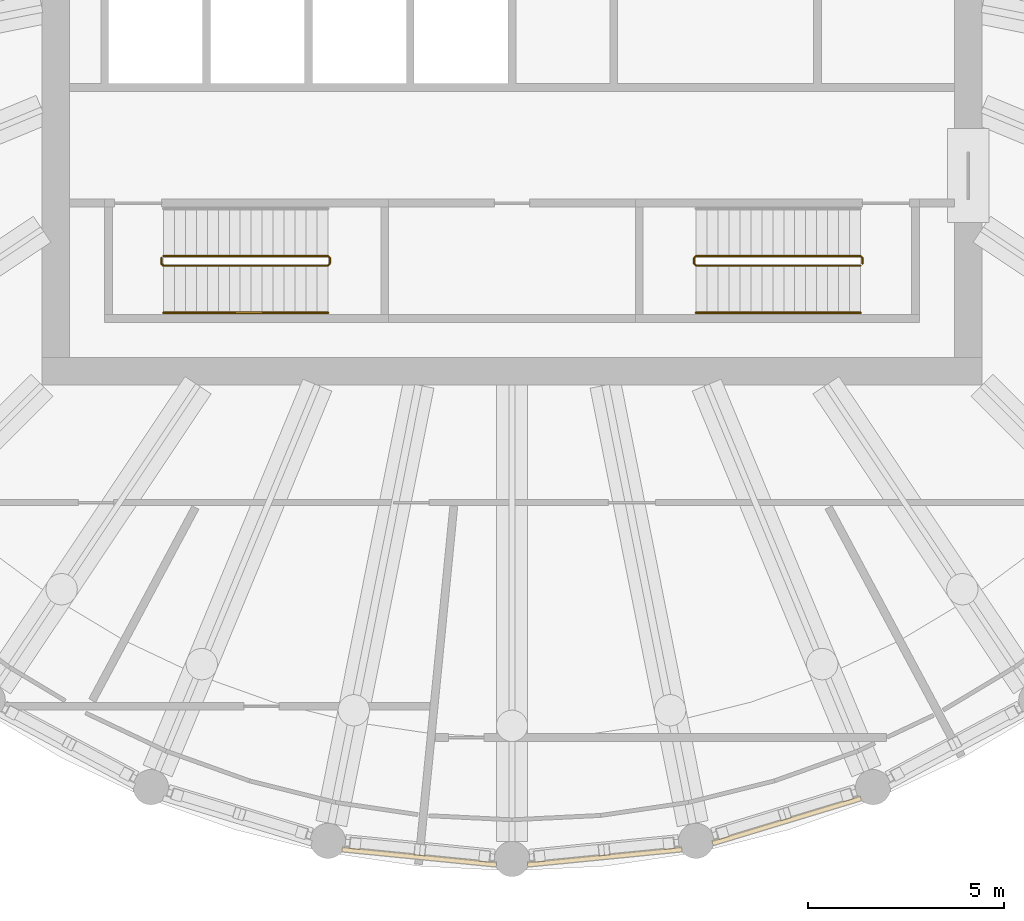
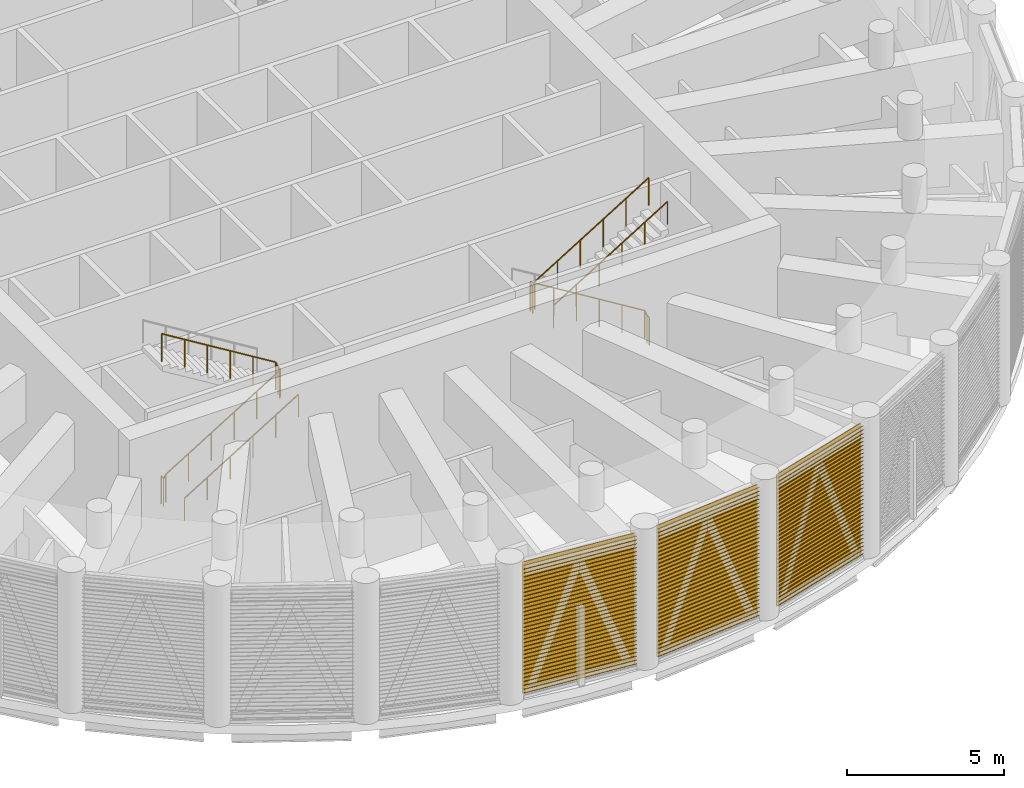
# One storey, part 13 of 19: 4 railings, 3 shading devices, 3 elements without a shape of their own.
"""IFC4 building model written with IfcOpenShell, lengths in metres."""

from ifc_helpers import new_model, si_unit, direction, frame, origin, origin_2d, place, context, subcontext, project, spatial, polyline, circle, outline, extrude, material, material_profile, profile_set, type_object, element, aggregate, save


model = new_model("IFC4")

# Units and contexts
model_context = context("Model", 3, precision=1e-05, world=origin(), true_north=direction((0.0, 1.0)))
body_context = subcontext(model_context, "Body", "Model", "MODEL_VIEW")
ifc_project = project(units=[si_unit("LENGTHUNIT", "METRE"), si_unit("AREAUNIT", "SQUARE_METRE"), si_unit("VOLUMEUNIT", "CUBIC_METRE"), si_unit("PLANEANGLEUNIT", "RADIAN"), si_unit("MASSUNIT", "GRAM", prefix="KILO")], contexts=[model_context])

# Site, building, storey
site_placement = place(None, origin())
site = spatial("IfcSite", under=ifc_project, at=site_placement, CompositionType="ELEMENT")
building_placement = place(site_placement, origin())
building = spatial("IfcBuilding", under=site, at=building_placement, Name="Corvane Civic Tower", CompositionType="ELEMENT")
storey_placement = place(building_placement, frame((0.0, 0.0, 319.0)))
storey = spatial("IfcBuildingStorey", under=building, at=storey_placement, Name="L76", CompositionType="ELEMENT", Elevation=319.0)

# Railings
ifc_material_1 = material(Name="Steel ASTM A572 Gr 50", Category="steel")
railing_type_1 = type_object("IfcRailingType", Name="ST-GUARD-1100", PredefinedType="GUARDRAIL", material=ifc_material_1)
railing_1_placement = place(storey_placement, frame((8.949951171875, -8.89990234375, 0.0)))
element("IfcRailing", 1, at=railing_1_placement, inside=storey, type_object=railing_type_1, Name="L76 ST2 stair guard 1", PredefinedType="GUARDRAIL", context=body_context, shape_type="SweptSolid", body=[
    extrude(circle(Radius=0.02392578125, at=origin_2d()), frame((0.0, 0.0, 1.076171875), z_axis=(0.0, 1.0, 0.0), x_axis=(-1.0, 0.0, 0.0)), (0.0, 0.0, 1.0), 0.14990234375),
    extrude(circle(Radius=0.02392578125, at=origin_2d()), frame((0.0, 0.14990234375, 1.076171875), z_axis=(-0.269255725606, 0.269255725606, 0.92466356501), x_axis=(-0.707106781187, -0.707106781187, 0.0)), (0.0, 0.0, 1.0), 0.185791015625),
    extrude(circle(Radius=0.02392578125, at=origin_2d()), frame((-0.050048828125, 0.199951171875, 1.248046875), z_axis=(-0.852242915053, 0.0, 0.523146264196), x_axis=(0.0, -1.0, 0.0)), (0.0, 0.0, 1.0), 4.92822265625),
    extrude(circle(Radius=0.02392578125, at=origin_2d()), frame((-4.25, 0.199951171875, 3.826171875), z_axis=(-0.707106781187, -0.707106781187, 0.0), x_axis=(0.707106781187, -0.707106781187, 0.0)), (0.0, 0.0, 1.0), 0.07080078125),
    extrude(circle(Radius=0.02392578125, at=origin_2d()), frame((-4.300048828125, 0.14990234375, 3.826171875), z_axis=(0.0, -1.0, 0.0), x_axis=(1.0, 0.0, 0.0)), (0.0, 0.0, 1.0), 0.14990234375),
    extrude(circle(Radius=0.02392578125, at=origin_2d()), frame((-4.300048828125, 0.0, 3.826171875), z_axis=(0.269255725606, -0.269255725606, 0.92466356501), x_axis=(0.707106781187, 0.707106781187, 0.0)), (0.0, 0.0, 1.0), 0.185791015625),
    extrude(circle(Radius=0.02392578125, at=origin_2d()), frame((-4.25, -0.050048828125, 3.998046875), z_axis=(0.852242915053, 0.0, 0.523146264196), x_axis=(0.0, 1.0, 0.0)), (0.0, 0.0, 1.0), 4.92822265625),
    extrude(circle(Radius=0.02099609375, at=origin_2d()), origin(), (0.0, 0.0, 1.0), 1.052001953125),
    extrude(circle(Radius=0.02099609375, at=origin_2d()), frame((0.0, 0.14990234375, 0.0)), (0.0, 0.0, 1.0), 1.052001953125),
    extrude(circle(Radius=0.02099609375, at=origin_2d()), frame((-0.050048828125, 0.199951171875, 0.171875)), (0.0, 0.0, 1.0), 1.052001953125),
    extrude(circle(Radius=0.02099609375, at=origin_2d()), frame((-0.89013671875, 0.199951171875, 0.6875)), (0.0, 0.0, 1.0), 1.052001953125),
    extrude(circle(Radius=0.02099609375, at=origin_2d()), frame((-1.72998046875, 0.199951171875, 1.203125)), (0.0, 0.0, 1.0), 1.052001953125),
    extrude(circle(Radius=0.02099609375, at=origin_2d()), frame((-2.570068359375, 0.199951171875, 1.71875)), (0.0, 0.0, 1.0), 1.052001953125),
    extrude(circle(Radius=0.02099609375, at=origin_2d()), frame((-3.409912109375, 0.199951171875, 2.234375)), (0.0, 0.0, 1.0), 1.052001953125),
    extrude(circle(Radius=0.02099609375, at=origin_2d()), frame((-4.25, 0.199951171875, 2.75)), (0.0, 0.0, 1.0), 1.052001953125),
    extrude(circle(Radius=0.02099609375, at=origin_2d()), frame((-4.300048828125, 0.14990234375, 2.75)), (0.0, 0.0, 1.0), 1.052001953125),
    extrude(circle(Radius=0.02099609375, at=origin_2d()), frame((-4.300048828125, 0.0, 2.75)), (0.0, 0.0, 1.0), 1.052001953125),
    extrude(circle(Radius=0.02099609375, at=origin_2d()), frame((-4.25, -0.050048828125, 2.921875)), (0.0, 0.0, 1.0), 1.052001953125),
    extrude(circle(Radius=0.02099609375, at=origin_2d()), frame((-3.409912109375, -0.050048828125, 3.4375)), (0.0, 0.0, 1.0), 1.052001953125),
    extrude(circle(Radius=0.02099609375, at=origin_2d()), frame((-2.570068359375, -0.050048828125, 3.953125)), (0.0, 0.0, 1.0), 1.052001953125),
    extrude(circle(Radius=0.02099609375, at=origin_2d()), frame((-1.72998046875, -0.050048828125, 4.46875)), (0.0, 0.0, 1.0), 1.052001953125),
    extrude(circle(Radius=0.02099609375, at=origin_2d()), frame((-0.89013671875, -0.050048828125, 4.984375)), (0.0, 0.0, 1.0), 1.052001953125),
    extrude(circle(Radius=0.02099609375, at=origin_2d()), frame((-0.050048828125, -0.050048828125, 5.5)), (0.0, 0.0, 1.0), 1.052001953125),
])
railing_2_placement = place(storey_placement, frame((-8.949951171875, -8.75, 0.0)))
element("IfcRailing", 2, at=railing_2_placement, inside=storey, type_object=railing_type_1, Name="L76 ST3 stair guard 1", PredefinedType="GUARDRAIL", context=body_context, shape_type="SweptSolid", body=[
    extrude(circle(Radius=0.02392578125, at=origin_2d()), frame((0.0, 0.0, 1.076171875), z_axis=(0.0, -1.0, 0.0), x_axis=(1.0, 0.0, 0.0)), (0.0, 0.0, 1.0), 0.14990234375),
    extrude(circle(Radius=0.02392578125, at=origin_2d()), frame((0.0, -0.14990234375, 1.076171875), z_axis=(0.269255725606, -0.269255725606, 0.92466356501), x_axis=(0.707106781187, 0.707106781187, 0.0)), (0.0, 0.0, 1.0), 0.185791015625),
    extrude(circle(Radius=0.02392578125, at=origin_2d()), frame((0.050048828125, -0.199951171875, 1.248046875), z_axis=(0.852242915053, 0.0, 0.523146264196), x_axis=(0.0, 1.0, 0.0)), (0.0, 0.0, 1.0), 4.92822265625),
    extrude(circle(Radius=0.02392578125, at=origin_2d()), frame((4.25, -0.199951171875, 3.826171875), z_axis=(0.707106781187, 0.707106781187, 0.0), x_axis=(-0.707106781187, 0.707106781187, 0.0)), (0.0, 0.0, 1.0), 0.07080078125),
    extrude(circle(Radius=0.02392578125, at=origin_2d()), frame((4.300048828125, -0.14990234375, 3.826171875), z_axis=(0.0, 1.0, 0.0), x_axis=(-1.0, 0.0, 0.0)), (0.0, 0.0, 1.0), 0.14990234375),
    extrude(circle(Radius=0.02392578125, at=origin_2d()), frame((4.300048828125, 0.0, 3.826171875), z_axis=(-0.269255725606, 0.269255725606, 0.92466356501), x_axis=(-0.707106781187, -0.707106781187, 0.0)), (0.0, 0.0, 1.0), 0.185791015625),
    extrude(circle(Radius=0.02392578125, at=origin_2d()), frame((4.25, 0.050048828125, 3.998046875), z_axis=(-0.852242915053, 0.0, 0.523146264196), x_axis=(0.0, -1.0, 0.0)), (0.0, 0.0, 1.0), 4.92822265625),
    extrude(circle(Radius=0.02099609375, at=origin_2d()), origin(), (0.0, 0.0, 1.0), 1.052001953125),
    extrude(circle(Radius=0.02099609375, at=origin_2d()), frame((0.0, -0.14990234375, 0.0)), (0.0, 0.0, 1.0), 1.052001953125),
    extrude(circle(Radius=0.02099609375, at=origin_2d()), frame((0.050048828125, -0.199951171875, 0.171875)), (0.0, 0.0, 1.0), 1.052001953125),
    extrude(circle(Radius=0.02099609375, at=origin_2d()), frame((0.89013671875, -0.199951171875, 0.6875)), (0.0, 0.0, 1.0), 1.052001953125),
    extrude(circle(Radius=0.02099609375, at=origin_2d()), frame((1.72998046875, -0.199951171875, 1.203125)), (0.0, 0.0, 1.0), 1.052001953125),
    extrude(circle(Radius=0.02099609375, at=origin_2d()), frame((2.570068359375, -0.199951171875, 1.71875)), (0.0, 0.0, 1.0), 1.052001953125),
    extrude(circle(Radius=0.02099609375, at=origin_2d()), frame((3.409912109375, -0.199951171875, 2.234375)), (0.0, 0.0, 1.0), 1.052001953125),
    extrude(circle(Radius=0.02099609375, at=origin_2d()), frame((4.25, -0.199951171875, 2.75)), (0.0, 0.0, 1.0), 1.052001953125),
    extrude(circle(Radius=0.02099609375, at=origin_2d()), frame((4.300048828125, -0.14990234375, 2.75)), (0.0, 0.0, 1.0), 1.052001953125),
    extrude(circle(Radius=0.02099609375, at=origin_2d()), frame((4.300048828125, 0.0, 2.75)), (0.0, 0.0, 1.0), 1.052001953125),
    extrude(circle(Radius=0.02099609375, at=origin_2d()), frame((4.25, 0.050048828125, 2.921875)), (0.0, 0.0, 1.0), 1.052001953125),
    extrude(circle(Radius=0.02099609375, at=origin_2d()), frame((3.409912109375, 0.050048828125, 3.4375)), (0.0, 0.0, 1.0), 1.052001953125),
    extrude(circle(Radius=0.02099609375, at=origin_2d()), frame((2.570068359375, 0.050048828125, 3.953125)), (0.0, 0.0, 1.0), 1.052001953125),
    extrude(circle(Radius=0.02099609375, at=origin_2d()), frame((1.72998046875, 0.050048828125, 4.46875)), (0.0, 0.0, 1.0), 1.052001953125),
    extrude(circle(Radius=0.02099609375, at=origin_2d()), frame((0.89013671875, 0.050048828125, 4.984375)), (0.0, 0.0, 1.0), 1.052001953125),
    extrude(circle(Radius=0.02099609375, at=origin_2d()), frame((0.050048828125, 0.050048828125, 5.5)), (0.0, 0.0, 1.0), 1.052001953125),
])
ifc_material_2 = material(Name="Steel ASTM A572 Gr 50", Category="steel")
railing_type_2 = type_object("IfcRailingType", Name="ST-HANDRAIL-900", PredefinedType="HANDRAIL", material=ifc_material_2)
for number, where, name in (
    (3, (4.699951171875, -10.14990234375, 2.921875), "L76 ST2 stair handrail 2"),
    (4, (-8.89990234375, -10.14990234375, 0.171875), "L76 ST3 stair handrail 1"),
):
    element("IfcRailing", number, at=place(storey_placement, frame(where)), inside=storey, type_object=railing_type_2, Name=name, PredefinedType="HANDRAIL", context=body_context, shape_type="SweptSolid", body=[
        extrude(circle(Radius=0.02392578125, at=origin_2d()), frame((0.0, 0.0, 0.8759765625), z_axis=(0.852242915053, 0.0, 0.523146264196), x_axis=(0.0, 1.0, 0.0)), (0.0, 0.0, 1.0), 4.92822265625),
        extrude(circle(Radius=0.02099609375, at=origin_2d()), origin(), (0.0, 0.0, 1.0), 0.851806640625),
        extrude(circle(Radius=0.02099609375, at=origin_2d()), frame((0.840087890625, 0.0, 0.515625)), (0.0, 0.0, 1.0), 0.851806640625),
        extrude(circle(Radius=0.02099609375, at=origin_2d()), frame((1.679931640625, 0.0, 1.03125)), (0.0, 0.0, 1.0), 0.851806640625),
        extrude(circle(Radius=0.02099609375, at=origin_2d()), frame((2.52001953125, 0.0, 1.546875)), (0.0, 0.0, 1.0), 0.851806640625),
        extrude(circle(Radius=0.02099609375, at=origin_2d()), frame((3.35986328125, 0.0, 2.0625)), (0.0, 0.0, 1.0), 0.851806640625),
        extrude(circle(Radius=0.02099609375, at=origin_2d()), frame((4.199951171875, 0.0, 2.578125)), (0.0, 0.0, 1.0), 0.851806640625),
    ])

# Curtain wall, shading device
ifc_material_3 = material(Name="Anodised aluminium bronze", Category="aluminium")
curtain_wall_type = type_object("IfcCurtainWallType", Name="TOWER CW-LV LOUVRE SCREEN WALL", PredefinedType="NOTDEFINED", material=ifc_material_3)
curtain_wall_1_placement = place(storey_placement, origin())
curtain_wall_1 = element("IfcCurtainWall", 5, at=curtain_wall_1_placement, inside=storey, type_object=curtain_wall_type, Name="Louvre screen wall CW-LV L76 bay 15", PredefinedType="NOTDEFINED")
ifc_material_4 = material(Name="Anodised aluminium bronze", Category="aluminium")
ifc_material_profile = material_profile(ifc_material_4, outline(polyline([(-0.06005859375, -2.56494140625), (-0.0400390625, -2.56494140625), (0.06005859375, -2.492919921875), (0.06005859375, -2.472900390625), (-0.0400390625, -2.544921875), (-0.0400390625, -2.4140625), (0.06005859375, -2.342041015625), (0.06005859375, -2.322021484375), (-0.0400390625, -2.39404296875), (-0.0400390625, -2.26318359375), (0.06005859375, -2.191162109375), (0.06005859375, -2.171142578125), (-0.0400390625, -2.2431640625), (-0.0400390625, -2.1123046875), (0.06005859375, -2.040283203125), (0.06005859375, -2.0205078125), (-0.0400390625, -2.09228515625), (-0.0400390625, -1.96142578125), (0.06005859375, -1.889404296875), (0.06005859375, -1.869384765625), (-0.0400390625, -1.94140625), (-0.0400390625, -1.810546875), (0.06005859375, -1.738525390625), (0.06005859375, -1.718505859375), (-0.0400390625, -1.79052734375), (-0.0400390625, -1.65966796875), (0.06005859375, -1.587646484375), (0.06005859375, -1.567626953125), (-0.0400390625, -1.6396484375), (-0.0400390625, -1.5087890625), (0.06005859375, -1.436767578125), (0.06005859375, -1.416748046875), (-0.0400390625, -1.48876953125), (-0.0400390625, -1.35791015625), (0.06005859375, -1.285888671875), (0.06005859375, -1.265869140625), (-0.0400390625, -1.337890625), (-0.0400390625, -1.20703125), (0.06005859375, -1.135009765625), (0.06005859375, -1.114990234375), (-0.0400390625, -1.18701171875), (-0.0400390625, -1.05615234375), (0.06005859375, -0.984130859375), (0.06005859375, -0.964111328125), (-0.0400390625, -1.0361328125), (-0.0400390625, -0.9052734375), (0.06005859375, -0.833251953125), (0.06005859375, -0.813232421875), (-0.0400390625, -0.88525390625), (-0.0400390625, -0.75439453125), (0.06005859375, -0.682373046875), (0.06005859375, -0.662353515625), (-0.0400390625, -0.734375), (-0.0400390625, -0.603515625), (0.06005859375, -0.531494140625), (0.06005859375, -0.511474609375), (-0.0400390625, -0.58349609375), (-0.0400390625, -0.45263671875), (0.06005859375, -0.380615234375), (0.06005859375, -0.360595703125), (-0.0400390625, -0.4326171875), (-0.0400390625, -0.3017578125), (0.06005859375, -0.229736328125), (0.06005859375, -0.209716796875), (-0.0400390625, -0.28173828125), (-0.0400390625, -0.15087890625), (0.06005859375, -0.078857421875), (0.06005859375, -0.058837890625), (-0.0400390625, -0.130859375), (-0.0400390625, 0.0), (0.06005859375, 0.072021484375), (0.06005859375, 0.092041015625), (-0.0400390625, 0.02001953125), (-0.0400390625, 0.15087890625), (0.06005859375, 0.222900390625), (0.06005859375, 0.242919921875), (-0.0400390625, 0.1708984375), (-0.0400390625, 0.3017578125), (0.06005859375, 0.373779296875), (0.06005859375, 0.393798828125), (-0.0400390625, 0.32177734375), (-0.0400390625, 0.45263671875), (0.06005859375, 0.524658203125), (0.06005859375, 0.544677734375), (-0.0400390625, 0.47265625), (-0.0400390625, 0.603515625), (0.06005859375, 0.675537109375), (0.06005859375, 0.695556640625), (-0.0400390625, 0.62353515625), (-0.0400390625, 0.75439453125), (0.06005859375, 0.826416015625), (0.06005859375, 0.846435546875), (-0.0400390625, 0.7744140625), (-0.0400390625, 0.9052734375), (0.06005859375, 0.977294921875), (0.06005859375, 0.997314453125), (-0.0400390625, 0.92529296875), (-0.0400390625, 1.05615234375), (0.06005859375, 1.128173828125), (0.06005859375, 1.148193359375), (-0.0400390625, 1.076171875), (-0.0400390625, 1.20703125), (0.06005859375, 1.279052734375), (0.06005859375, 1.299072265625), (-0.0400390625, 1.22705078125), (-0.0400390625, 1.35791015625), (0.06005859375, 1.429931640625), (0.06005859375, 1.449951171875), (-0.0400390625, 1.3779296875), (-0.0400390625, 1.5087890625), (0.06005859375, 1.580810546875), (0.06005859375, 1.600830078125), (-0.0400390625, 1.52880859375), (-0.0400390625, 1.65966796875), (0.06005859375, 1.731689453125), (0.06005859375, 1.751708984375), (-0.0400390625, 1.6796875), (-0.0400390625, 1.810546875), (0.06005859375, 1.882568359375), (0.06005859375, 1.902587890625), (-0.0400390625, 1.83056640625), (-0.0400390625, 1.96142578125), (0.06005859375, 2.033447265625), (0.06005859375, 2.053466796875), (-0.0400390625, 1.9814453125), (-0.0400390625, 2.1123046875), (0.06005859375, 2.184326171875), (0.06005859375, 2.204345703125), (-0.0400390625, 2.13232421875), (-0.0400390625, 2.26318359375), (0.06005859375, 2.335205078125), (0.06005859375, 2.355224609375), (-0.0400390625, 2.283203125), (-0.0400390625, 2.4140625), (0.06005859375, 2.486083984375), (0.06005859375, 2.506103515625), (-0.0400390625, 2.43408203125), (-0.0400390625, 2.56494140625), (-0.06005859375, 2.56494140625), (-0.06005859375, -2.56494140625)])), Name="TOWER LOUVRE BANK 5130 BRONZE")
ifc_profile_set = profile_set([ifc_material_profile], Name="Anodised aluminium bronze")
shading_device_type = type_object("IfcShadingDeviceType", Name="TOWER LOUVRE BANK 5130 BRONZE", PredefinedType="USERDEFINED", material=ifc_profile_set)
shading_device_1_placement = place(storey_placement, frame((8.908447265625, -22.548095703125, 2.68505859375), z_axis=(-0.956946054205, -0.290265825309, 0.0), x_axis=(0.290265825309, -0.956946054205, 0.0)))
shading_device_1 = element("IfcShadingDevice", 6, at=shading_device_1_placement, type_object=shading_device_type, Name="Louvre bank L76 15.1", ObjectType="LOUVRE", PredefinedType="USERDEFINED", context=body_context, shape_type="SweptSolid", body=[
    extrude(outline(polyline([(-0.06005859375, -2.56494140625), (-0.0400390625, -2.56494140625), (0.06005859375, -2.492919921875), (0.06005859375, -2.472900390625), (-0.0400390625, -2.544921875), (-0.0400390625, -2.4140625), (0.06005859375, -2.342041015625), (0.06005859375, -2.322021484375), (-0.0400390625, -2.39404296875), (-0.0400390625, -2.26318359375), (0.06005859375, -2.191162109375), (0.06005859375, -2.171142578125), (-0.0400390625, -2.2431640625), (-0.0400390625, -2.1123046875), (0.06005859375, -2.040283203125), (0.06005859375, -2.0205078125), (-0.0400390625, -2.09228515625), (-0.0400390625, -1.96142578125), (0.06005859375, -1.889404296875), (0.06005859375, -1.869384765625), (-0.0400390625, -1.94140625), (-0.0400390625, -1.810546875), (0.06005859375, -1.738525390625), (0.06005859375, -1.718505859375), (-0.0400390625, -1.79052734375), (-0.0400390625, -1.65966796875), (0.06005859375, -1.587646484375), (0.06005859375, -1.567626953125), (-0.0400390625, -1.6396484375), (-0.0400390625, -1.5087890625), (0.06005859375, -1.436767578125), (0.06005859375, -1.416748046875), (-0.0400390625, -1.48876953125), (-0.0400390625, -1.35791015625), (0.06005859375, -1.285888671875), (0.06005859375, -1.265869140625), (-0.0400390625, -1.337890625), (-0.0400390625, -1.20703125), (0.06005859375, -1.135009765625), (0.06005859375, -1.114990234375), (-0.0400390625, -1.18701171875), (-0.0400390625, -1.05615234375), (0.06005859375, -0.984130859375), (0.06005859375, -0.964111328125), (-0.0400390625, -1.0361328125), (-0.0400390625, -0.9052734375), (0.06005859375, -0.833251953125), (0.06005859375, -0.813232421875), (-0.0400390625, -0.88525390625), (-0.0400390625, -0.75439453125), (0.06005859375, -0.682373046875), (0.06005859375, -0.662353515625), (-0.0400390625, -0.734375), (-0.0400390625, -0.603515625), (0.06005859375, -0.531494140625), (0.06005859375, -0.511474609375), (-0.0400390625, -0.58349609375), (-0.0400390625, -0.45263671875), (0.06005859375, -0.380615234375), (0.06005859375, -0.360595703125), (-0.0400390625, -0.4326171875), (-0.0400390625, -0.3017578125), (0.06005859375, -0.229736328125), (0.06005859375, -0.209716796875), (-0.0400390625, -0.28173828125), (-0.0400390625, -0.15087890625), (0.06005859375, -0.078857421875), (0.06005859375, -0.058837890625), (-0.0400390625, -0.130859375), (-0.0400390625, 0.0), (0.06005859375, 0.072021484375), (0.06005859375, 0.092041015625), (-0.0400390625, 0.02001953125), (-0.0400390625, 0.15087890625), (0.06005859375, 0.222900390625), (0.06005859375, 0.242919921875), (-0.0400390625, 0.1708984375), (-0.0400390625, 0.3017578125), (0.06005859375, 0.373779296875), (0.06005859375, 0.393798828125), (-0.0400390625, 0.32177734375), (-0.0400390625, 0.45263671875), (0.06005859375, 0.524658203125), (0.06005859375, 0.544677734375), (-0.0400390625, 0.47265625), (-0.0400390625, 0.603515625), (0.06005859375, 0.675537109375), (0.06005859375, 0.695556640625), (-0.0400390625, 0.62353515625), (-0.0400390625, 0.75439453125), (0.06005859375, 0.826416015625), (0.06005859375, 0.846435546875), (-0.0400390625, 0.7744140625), (-0.0400390625, 0.9052734375), (0.06005859375, 0.977294921875), (0.06005859375, 0.997314453125), (-0.0400390625, 0.92529296875), (-0.0400390625, 1.05615234375), (0.06005859375, 1.128173828125), (0.06005859375, 1.148193359375), (-0.0400390625, 1.076171875), (-0.0400390625, 1.20703125), (0.06005859375, 1.279052734375), (0.06005859375, 1.299072265625), (-0.0400390625, 1.22705078125), (-0.0400390625, 1.35791015625), (0.06005859375, 1.429931640625), (0.06005859375, 1.449951171875), (-0.0400390625, 1.3779296875), (-0.0400390625, 1.5087890625), (0.06005859375, 1.580810546875), (0.06005859375, 1.600830078125), (-0.0400390625, 1.52880859375), (-0.0400390625, 1.65966796875), (0.06005859375, 1.731689453125), (0.06005859375, 1.751708984375), (-0.0400390625, 1.6796875), (-0.0400390625, 1.810546875), (0.06005859375, 1.882568359375), (0.06005859375, 1.902587890625), (-0.0400390625, 1.83056640625), (-0.0400390625, 1.96142578125), (0.06005859375, 2.033447265625), (0.06005859375, 2.053466796875), (-0.0400390625, 1.9814453125), (-0.0400390625, 2.1123046875), (0.06005859375, 2.184326171875), (0.06005859375, 2.204345703125), (-0.0400390625, 2.13232421875), (-0.0400390625, 2.26318359375), (0.06005859375, 2.335205078125), (0.06005859375, 2.355224609375), (-0.0400390625, 2.283203125), (-0.0400390625, 2.4140625), (0.06005859375, 2.486083984375), (0.06005859375, 2.506103515625), (-0.0400390625, 2.43408203125), (-0.0400390625, 2.56494140625), (-0.06005859375, 2.56494140625), (-0.06005859375, -2.56494140625)])), origin(), (0.0, 0.0, 1.0), 3.958984375),
])
aggregate(curtain_wall_1, [shading_device_1])

curtain_wall_2_placement = place(storey_placement, origin())
curtain_wall_2 = element("IfcCurtainWall", 7, at=curtain_wall_2_placement, inside=storey, type_object=curtain_wall_type, Name="Louvre screen wall CW-LV L76 bay 16", PredefinedType="NOTDEFINED")
shading_device_2_placement = place(storey_placement, frame((4.338134765625, -23.852783203125, 2.68505859375), z_axis=(-0.995186866683, -0.097995409999, 0.0), x_axis=(0.097995409999, -0.995186866683, 0.0)))
shading_device_2 = element("IfcShadingDevice", 8, at=shading_device_2_placement, type_object=shading_device_type, Name="Louvre bank L76 16.1", ObjectType="LOUVRE", PredefinedType="USERDEFINED", context=body_context, shape_type="SweptSolid", body=[
    extrude(outline(polyline([(-0.06005859375, -2.56494140625), (-0.0400390625, -2.56494140625), (0.06005859375, -2.492919921875), (0.06005859375, -2.472900390625), (-0.0400390625, -2.544921875), (-0.0400390625, -2.4140625), (0.06005859375, -2.342041015625), (0.06005859375, -2.322021484375), (-0.0400390625, -2.39404296875), (-0.0400390625, -2.26318359375), (0.06005859375, -2.191162109375), (0.06005859375, -2.171142578125), (-0.0400390625, -2.2431640625), (-0.0400390625, -2.1123046875), (0.06005859375, -2.040283203125), (0.06005859375, -2.0205078125), (-0.0400390625, -2.09228515625), (-0.0400390625, -1.96142578125), (0.06005859375, -1.889404296875), (0.06005859375, -1.869384765625), (-0.0400390625, -1.94140625), (-0.0400390625, -1.810546875), (0.06005859375, -1.738525390625), (0.06005859375, -1.718505859375), (-0.0400390625, -1.79052734375), (-0.0400390625, -1.65966796875), (0.06005859375, -1.587646484375), (0.06005859375, -1.567626953125), (-0.0400390625, -1.6396484375), (-0.0400390625, -1.5087890625), (0.06005859375, -1.436767578125), (0.06005859375, -1.416748046875), (-0.0400390625, -1.48876953125), (-0.0400390625, -1.35791015625), (0.06005859375, -1.285888671875), (0.06005859375, -1.265869140625), (-0.0400390625, -1.337890625), (-0.0400390625, -1.20703125), (0.06005859375, -1.135009765625), (0.06005859375, -1.114990234375), (-0.0400390625, -1.18701171875), (-0.0400390625, -1.05615234375), (0.06005859375, -0.984130859375), (0.06005859375, -0.964111328125), (-0.0400390625, -1.0361328125), (-0.0400390625, -0.9052734375), (0.06005859375, -0.833251953125), (0.06005859375, -0.813232421875), (-0.0400390625, -0.88525390625), (-0.0400390625, -0.75439453125), (0.06005859375, -0.682373046875), (0.06005859375, -0.662353515625), (-0.0400390625, -0.734375), (-0.0400390625, -0.603515625), (0.06005859375, -0.531494140625), (0.06005859375, -0.511474609375), (-0.0400390625, -0.58349609375), (-0.0400390625, -0.45263671875), (0.06005859375, -0.380615234375), (0.06005859375, -0.360595703125), (-0.0400390625, -0.4326171875), (-0.0400390625, -0.3017578125), (0.06005859375, -0.229736328125), (0.06005859375, -0.209716796875), (-0.0400390625, -0.28173828125), (-0.0400390625, -0.15087890625), (0.06005859375, -0.078857421875), (0.06005859375, -0.058837890625), (-0.0400390625, -0.130859375), (-0.0400390625, 0.0), (0.06005859375, 0.072021484375), (0.06005859375, 0.092041015625), (-0.0400390625, 0.02001953125), (-0.0400390625, 0.15087890625), (0.06005859375, 0.222900390625), (0.06005859375, 0.242919921875), (-0.0400390625, 0.1708984375), (-0.0400390625, 0.3017578125), (0.06005859375, 0.373779296875), (0.06005859375, 0.393798828125), (-0.0400390625, 0.32177734375), (-0.0400390625, 0.45263671875), (0.06005859375, 0.524658203125), (0.06005859375, 0.544677734375), (-0.0400390625, 0.47265625), (-0.0400390625, 0.603515625), (0.06005859375, 0.675537109375), (0.06005859375, 0.695556640625), (-0.0400390625, 0.62353515625), (-0.0400390625, 0.75439453125), (0.06005859375, 0.826416015625), (0.06005859375, 0.846435546875), (-0.0400390625, 0.7744140625), (-0.0400390625, 0.9052734375), (0.06005859375, 0.977294921875), (0.06005859375, 0.997314453125), (-0.0400390625, 0.92529296875), (-0.0400390625, 1.05615234375), (0.06005859375, 1.128173828125), (0.06005859375, 1.148193359375), (-0.0400390625, 1.076171875), (-0.0400390625, 1.20703125), (0.06005859375, 1.279052734375), (0.06005859375, 1.299072265625), (-0.0400390625, 1.22705078125), (-0.0400390625, 1.35791015625), (0.06005859375, 1.429931640625), (0.06005859375, 1.449951171875), (-0.0400390625, 1.3779296875), (-0.0400390625, 1.5087890625), (0.06005859375, 1.580810546875), (0.06005859375, 1.600830078125), (-0.0400390625, 1.52880859375), (-0.0400390625, 1.65966796875), (0.06005859375, 1.731689453125), (0.06005859375, 1.751708984375), (-0.0400390625, 1.6796875), (-0.0400390625, 1.810546875), (0.06005859375, 1.882568359375), (0.06005859375, 1.902587890625), (-0.0400390625, 1.83056640625), (-0.0400390625, 1.96142578125), (0.06005859375, 2.033447265625), (0.06005859375, 2.053466796875), (-0.0400390625, 1.9814453125), (-0.0400390625, 2.1123046875), (0.06005859375, 2.184326171875), (0.06005859375, 2.204345703125), (-0.0400390625, 2.13232421875), (-0.0400390625, 2.26318359375), (0.06005859375, 2.335205078125), (0.06005859375, 2.355224609375), (-0.0400390625, 2.283203125), (-0.0400390625, 2.4140625), (0.06005859375, 2.486083984375), (0.06005859375, 2.506103515625), (-0.0400390625, 2.43408203125), (-0.0400390625, 2.56494140625), (-0.06005859375, 2.56494140625), (-0.06005859375, -2.56494140625)])), origin(), (0.0, 0.0, 1.0), 3.958740234375),
])
aggregate(curtain_wall_2, [shading_device_2])

curtain_wall_3_placement = place(storey_placement, origin())
curtain_wall_3 = element("IfcCurtainWall", 9, at=curtain_wall_3_placement, inside=storey, type_object=curtain_wall_type, Name="Louvre screen wall CW-LV L76 bay 17", PredefinedType="NOTDEFINED")
shading_device_3_placement = place(storey_placement, frame((-0.3984375, -24.24072265625, 2.68505859375), z_axis=(-0.995186866683, 0.097995409999, 0.0), x_axis=(-0.097995409999, -0.995186866683, 0.0)))
shading_device_3 = element("IfcShadingDevice", 10, at=shading_device_3_placement, type_object=shading_device_type, Name="Louvre bank L76 17.1", ObjectType="LOUVRE", PredefinedType="USERDEFINED", context=body_context, shape_type="SweptSolid", body=[
    extrude(outline(polyline([(-0.06005859375, -2.56494140625), (-0.0400390625, -2.56494140625), (0.06005859375, -2.492919921875), (0.06005859375, -2.472900390625), (-0.0400390625, -2.544921875), (-0.0400390625, -2.4140625), (0.06005859375, -2.342041015625), (0.06005859375, -2.322021484375), (-0.0400390625, -2.39404296875), (-0.0400390625, -2.26318359375), (0.06005859375, -2.191162109375), (0.06005859375, -2.171142578125), (-0.0400390625, -2.2431640625), (-0.0400390625, -2.1123046875), (0.06005859375, -2.040283203125), (0.06005859375, -2.0205078125), (-0.0400390625, -2.09228515625), (-0.0400390625, -1.96142578125), (0.06005859375, -1.889404296875), (0.06005859375, -1.869384765625), (-0.0400390625, -1.94140625), (-0.0400390625, -1.810546875), (0.06005859375, -1.738525390625), (0.06005859375, -1.718505859375), (-0.0400390625, -1.79052734375), (-0.0400390625, -1.65966796875), (0.06005859375, -1.587646484375), (0.06005859375, -1.567626953125), (-0.0400390625, -1.6396484375), (-0.0400390625, -1.5087890625), (0.06005859375, -1.436767578125), (0.06005859375, -1.416748046875), (-0.0400390625, -1.48876953125), (-0.0400390625, -1.35791015625), (0.06005859375, -1.285888671875), (0.06005859375, -1.265869140625), (-0.0400390625, -1.337890625), (-0.0400390625, -1.20703125), (0.06005859375, -1.135009765625), (0.06005859375, -1.114990234375), (-0.0400390625, -1.18701171875), (-0.0400390625, -1.05615234375), (0.06005859375, -0.984130859375), (0.06005859375, -0.964111328125), (-0.0400390625, -1.0361328125), (-0.0400390625, -0.9052734375), (0.06005859375, -0.833251953125), (0.06005859375, -0.813232421875), (-0.0400390625, -0.88525390625), (-0.0400390625, -0.75439453125), (0.06005859375, -0.682373046875), (0.06005859375, -0.662353515625), (-0.0400390625, -0.734375), (-0.0400390625, -0.603515625), (0.06005859375, -0.531494140625), (0.06005859375, -0.511474609375), (-0.0400390625, -0.58349609375), (-0.0400390625, -0.45263671875), (0.06005859375, -0.380615234375), (0.06005859375, -0.360595703125), (-0.0400390625, -0.4326171875), (-0.0400390625, -0.3017578125), (0.06005859375, -0.229736328125), (0.06005859375, -0.209716796875), (-0.0400390625, -0.28173828125), (-0.0400390625, -0.15087890625), (0.06005859375, -0.078857421875), (0.06005859375, -0.058837890625), (-0.0400390625, -0.130859375), (-0.0400390625, 0.0), (0.06005859375, 0.072021484375), (0.06005859375, 0.092041015625), (-0.0400390625, 0.02001953125), (-0.0400390625, 0.15087890625), (0.06005859375, 0.222900390625), (0.06005859375, 0.242919921875), (-0.0400390625, 0.1708984375), (-0.0400390625, 0.3017578125), (0.06005859375, 0.373779296875), (0.06005859375, 0.393798828125), (-0.0400390625, 0.32177734375), (-0.0400390625, 0.45263671875), (0.06005859375, 0.524658203125), (0.06005859375, 0.544677734375), (-0.0400390625, 0.47265625), (-0.0400390625, 0.603515625), (0.06005859375, 0.675537109375), (0.06005859375, 0.695556640625), (-0.0400390625, 0.62353515625), (-0.0400390625, 0.75439453125), (0.06005859375, 0.826416015625), (0.06005859375, 0.846435546875), (-0.0400390625, 0.7744140625), (-0.0400390625, 0.9052734375), (0.06005859375, 0.977294921875), (0.06005859375, 0.997314453125), (-0.0400390625, 0.92529296875), (-0.0400390625, 1.05615234375), (0.06005859375, 1.128173828125), (0.06005859375, 1.148193359375), (-0.0400390625, 1.076171875), (-0.0400390625, 1.20703125), (0.06005859375, 1.279052734375), (0.06005859375, 1.299072265625), (-0.0400390625, 1.22705078125), (-0.0400390625, 1.35791015625), (0.06005859375, 1.429931640625), (0.06005859375, 1.449951171875), (-0.0400390625, 1.3779296875), (-0.0400390625, 1.5087890625), (0.06005859375, 1.580810546875), (0.06005859375, 1.600830078125), (-0.0400390625, 1.52880859375), (-0.0400390625, 1.65966796875), (0.06005859375, 1.731689453125), (0.06005859375, 1.751708984375), (-0.0400390625, 1.6796875), (-0.0400390625, 1.810546875), (0.06005859375, 1.882568359375), (0.06005859375, 1.902587890625), (-0.0400390625, 1.83056640625), (-0.0400390625, 1.96142578125), (0.06005859375, 2.033447265625), (0.06005859375, 2.053466796875), (-0.0400390625, 1.9814453125), (-0.0400390625, 2.1123046875), (0.06005859375, 2.184326171875), (0.06005859375, 2.204345703125), (-0.0400390625, 2.13232421875), (-0.0400390625, 2.26318359375), (0.06005859375, 2.335205078125), (0.06005859375, 2.355224609375), (-0.0400390625, 2.283203125), (-0.0400390625, 2.4140625), (0.06005859375, 2.486083984375), (0.06005859375, 2.506103515625), (-0.0400390625, 2.43408203125), (-0.0400390625, 2.56494140625), (-0.06005859375, 2.56494140625), (-0.06005859375, -2.56494140625)])), origin(), (0.0, 0.0, 1.0), 3.958740234375),
])
aggregate(curtain_wall_3, [shading_device_3])

save(model, "model.ifc")
